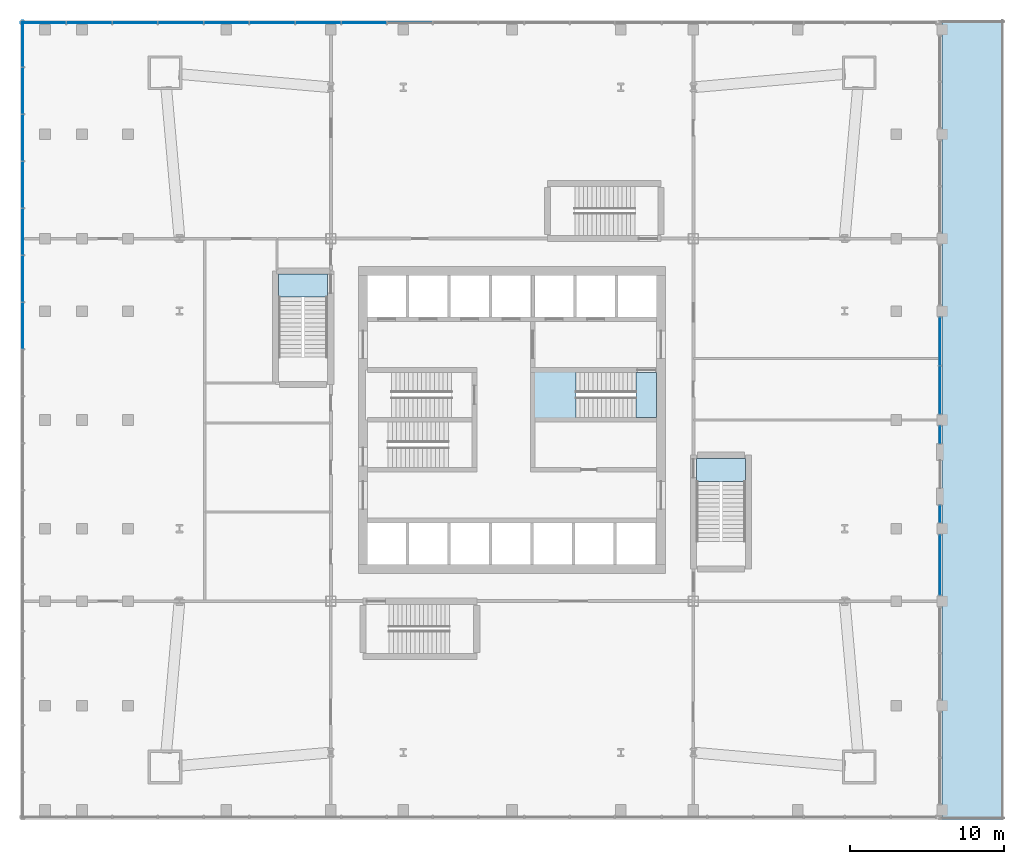
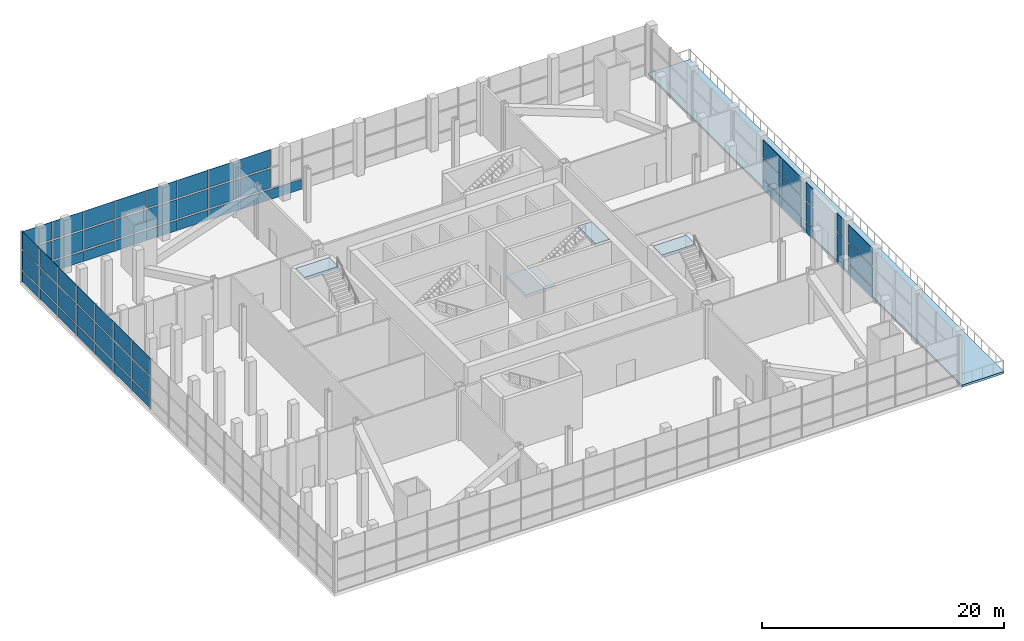
# One storey, part 11 of 17: 61 plates, 5 slabs, 9 elements without a shape of their own.
"""IFC4 building model written with IfcOpenShell, lengths in metres."""

from ifc_helpers import new_model, si_unit, direction, frame, origin, origin_2d, place, context, subcontext, project, spatial, polyline, rectangle, outline, extrude, material, layer, layer_set, type_object, element, aggregate, save


model = new_model("IFC4")

# Units and contexts
model_context = context("Model", 3, precision=1e-05, world=origin(), true_north=direction((0.0, 1.0)))
body_context = subcontext(model_context, "Body", "Model", "MODEL_VIEW")
ifc_project = project(units=[si_unit("LENGTHUNIT", "METRE"), si_unit("AREAUNIT", "SQUARE_METRE"), si_unit("VOLUMEUNIT", "CUBIC_METRE"), si_unit("PLANEANGLEUNIT", "RADIAN"), si_unit("MASSUNIT", "GRAM", prefix="KILO")], contexts=[model_context])

# Site, building, storey
site_placement = place(None, origin())
site = spatial("IfcSite", under=ifc_project, at=site_placement, CompositionType="ELEMENT")
building_placement = place(site_placement, origin())
building = spatial("IfcBuilding", under=site, at=building_placement, Name="Turquesa Mirador Hotel Tower", CompositionType="ELEMENT")
storey_placement = place(building_placement, frame((0.0, 0.0, 5.60009765625)))
storey = spatial("IfcBuildingStorey", under=building, at=storey_placement, Name="L01", CompositionType="ELEMENT", Elevation=5.60009765625)

# Curtain wall, plate
ifc_material_1 = material(Name="Aluminium extrusion", Category="aluminium")
curtain_wall_type = type_object("IfcCurtainWallType", Name="CW-2 PODIUM CURTAIN WALL", PredefinedType="USERDEFINED", material=ifc_material_1)
curtain_wall_1_placement = place(storey_placement, origin())
curtain_wall_1 = element("IfcCurtainWall", 1, at=curtain_wall_1_placement, inside=storey, type_object=curtain_wall_type, Name="CW-2 PODIUM CURTAIN WALL L01", ObjectType="CURTAIN WALL", PredefinedType="USERDEFINED")
ifc_material_2 = material(Name="Ceramic-printed spandrel glass on an insulated back pan", Category="glass")
ifc_layer_1 = layer(ifc_material_2, 0.050048828125)
ifc_layer_set_1 = layer_set([ifc_layer_1], Name="CW PANEL SPANDREL CERAMIC")
plate_type_1 = type_object("IfcPlateType", Name="CW PANEL SPANDREL CERAMIC", PredefinedType="CURTAIN_PANEL", material=ifc_layer_set_1)
plate_1_placement = place(storey_placement, frame((82.85009765625, 35.56005859375, 0.0), z_axis=(0.0, 0.0, 1.0), x_axis=(0.0, 1.0, 0.0)))
plate_1 = element("IfcPlate", 2, at=plate_1_placement, type_object=plate_type_1, Name="Panel", PredefinedType="CURTAIN_PANEL", context=body_context, shape_type="SweptSolid", body=[
    extrude(rectangle(XDim=3.885986328125, YDim=0.050048828125, at=origin_2d()), origin(), (0.0, 0.0, 1.0), 1.02490234375),
])

curtain_wall_2_placement = place(storey_placement, origin())
curtain_wall_2 = element("IfcCurtainWall", 3, at=curtain_wall_2_placement, inside=storey, type_object=curtain_wall_type, Name="CW-2 PODIUM CURTAIN WALL L01", ObjectType="CURTAIN WALL", PredefinedType="USERDEFINED")
plate_2_placement = place(storey_placement, frame((82.85009765625, 38.88232421875, 0.0), z_axis=(0.0, 0.0, 1.0), x_axis=(0.0, 1.0, 0.0)))
plate_2 = element("IfcPlate", 4, at=plate_2_placement, type_object=plate_type_1, Name="Panel", PredefinedType="CURTAIN_PANEL", context=body_context, shape_type="SweptSolid", body=[
    extrude(rectangle(XDim=1.090576171875, YDim=0.050048828125, at=origin_2d()), origin(), (0.0, 0.0, 1.0), 1.02490234375),
])

curtain_wall_3_placement = place(storey_placement, origin())
curtain_wall_3 = element("IfcCurtainWall", 5, at=curtain_wall_3_placement, inside=storey, type_object=curtain_wall_type, Name="CW-2 PODIUM CURTAIN WALL L01", ObjectType="CURTAIN WALL", PredefinedType="USERDEFINED")
plate_3_placement = place(storey_placement, frame((82.85009765625, 44.037841796875, 0.0), z_axis=(0.0, 0.0, 1.0), x_axis=(0.0, 1.0, 0.0)))
plate_3 = element("IfcPlate", 6, at=plate_3_placement, type_object=plate_type_1, Name="Panel", PredefinedType="CURTAIN_PANEL", context=body_context, shape_type="SweptSolid", body=[
    extrude(rectangle(XDim=1.090576171875, YDim=0.050048828125, at=origin_2d()), origin(), (0.0, 0.0, 1.0), 1.02490234375),
])

# Curtain wall, plates
curtain_wall_4_placement = place(storey_placement, origin())
curtain_wall_4 = element("IfcCurtainWall", 7, at=curtain_wall_4_placement, inside=storey, type_object=curtain_wall_type, Name="CW-2 PODIUM CURTAIN WALL L01", ObjectType="CURTAIN WALL", PredefinedType="USERDEFINED")
plate_4_placement = place(storey_placement, frame((82.85009765625, 46.962158203125, 0.0), z_axis=(0.0, 0.0, 1.0), x_axis=(0.0, 1.0, 0.0)))
plate_4 = element("IfcPlate", 8, at=plate_4_placement, type_object=plate_type_1, Name="Panel", PredefinedType="CURTAIN_PANEL", context=body_context, shape_type="SweptSolid", body=[
    extrude(rectangle(XDim=3.090576171875, YDim=0.050048828125, at=origin_2d()), origin(), (0.0, 0.0, 1.0), 1.02490234375),
])
plate_5_placement = place(storey_placement, frame((82.85009765625, 50.11767578125, 0.0), z_axis=(0.0, 0.0, 1.0), x_axis=(0.0, 1.0, 0.0)))
plate_5 = element("IfcPlate", 9, at=plate_5_placement, type_object=plate_type_1, Name="Panel", PredefinedType="CURTAIN_PANEL", context=body_context, shape_type="SweptSolid", body=[
    extrude(rectangle(XDim=3.090576171875, YDim=0.050048828125, at=origin_2d()), origin(), (0.0, 0.0, 1.0), 1.02490234375),
])

curtain_wall_5_placement = place(storey_placement, origin())
curtain_wall_5 = element("IfcCurtainWall", 10, at=curtain_wall_5_placement, inside=storey, type_object=curtain_wall_type, Name="CW-2 PODIUM CURTAIN WALL L01", ObjectType="CURTAIN WALL", PredefinedType="USERDEFINED")
plate_6_placement = place(storey_placement, frame((48.336669921875, 70.85009765625, 0.0), z_axis=(0.0, 0.0, 1.0), x_axis=(-1.0, 0.0, 0.0)))
plate_6 = element("IfcPlate", 11, at=plate_6_placement, type_object=plate_type_1, Name="Panel", PredefinedType="CURTAIN_PANEL", context=body_context, shape_type="SweptSolid", body=[
    extrude(rectangle(XDim=2.915771484375, YDim=0.050048828125, at=origin_2d()), origin(), (0.0, 0.0, 1.0), 1.02490234375),
])
plate_7_placement = place(storey_placement, frame((45.355712890625, 70.85009765625, 0.0), z_axis=(0.0, 0.0, 1.0), x_axis=(-1.0, 0.0, 0.0)))
plate_7 = element("IfcPlate", 12, at=plate_7_placement, type_object=plate_type_1, Name="Panel", PredefinedType="CURTAIN_PANEL", context=body_context, shape_type="SweptSolid", body=[
    extrude(rectangle(XDim=2.915771484375, YDim=0.050048828125, at=origin_2d()), origin(), (0.0, 0.0, 1.0), 1.02490234375),
])
plate_8_placement = place(storey_placement, frame((42.375, 70.85009765625, 0.0), z_axis=(0.0, 0.0, 1.0), x_axis=(-1.0, 0.0, 0.0)))
plate_8 = element("IfcPlate", 13, at=plate_8_placement, type_object=plate_type_1, Name="Panel", PredefinedType="CURTAIN_PANEL", context=body_context, shape_type="SweptSolid", body=[
    extrude(rectangle(XDim=2.915771484375, YDim=0.050048828125, at=origin_2d()), origin(), (0.0, 0.0, 1.0), 1.02490234375),
])
plate_9_placement = place(storey_placement, frame((39.394287109375, 70.85009765625, 0.0), z_axis=(0.0, 0.0, 1.0), x_axis=(-1.0, 0.0, 0.0)))
plate_9 = element("IfcPlate", 14, at=plate_9_placement, type_object=plate_type_1, Name="Panel", PredefinedType="CURTAIN_PANEL", context=body_context, shape_type="SweptSolid", body=[
    extrude(rectangle(XDim=2.915771484375, YDim=0.050048828125, at=origin_2d()), origin(), (0.0, 0.0, 1.0), 1.02490234375),
])
plate_10_placement = place(storey_placement, frame((36.41357421875, 70.85009765625, 0.0), z_axis=(0.0, 0.0, 1.0), x_axis=(-1.0, 0.0, 0.0)))
plate_10 = element("IfcPlate", 15, at=plate_10_placement, type_object=plate_type_1, Name="Panel", PredefinedType="CURTAIN_PANEL", context=body_context, shape_type="SweptSolid", body=[
    extrude(rectangle(XDim=2.915771484375, YDim=0.050048828125, at=origin_2d()), origin(), (0.0, 0.0, 1.0), 1.02490234375),
])
plate_11_placement = place(storey_placement, frame((33.4326171875, 70.85009765625, 0.0), z_axis=(0.0, 0.0, 1.0), x_axis=(-1.0, 0.0, 0.0)))
plate_11 = element("IfcPlate", 16, at=plate_11_placement, type_object=plate_type_1, Name="Panel", PredefinedType="CURTAIN_PANEL", context=body_context, shape_type="SweptSolid", body=[
    extrude(rectangle(XDim=2.915771484375, YDim=0.050048828125, at=origin_2d()), origin(), (0.0, 0.0, 1.0), 1.02490234375),
])
plate_12_placement = place(storey_placement, frame((30.451904296875, 70.85009765625, 0.0), z_axis=(0.0, 0.0, 1.0), x_axis=(-1.0, 0.0, 0.0)))
plate_12 = element("IfcPlate", 17, at=plate_12_placement, type_object=plate_type_1, Name="Panel", PredefinedType="CURTAIN_PANEL", context=body_context, shape_type="SweptSolid", body=[
    extrude(rectangle(XDim=2.915771484375, YDim=0.050048828125, at=origin_2d()), origin(), (0.0, 0.0, 1.0), 1.02490234375),
])
plate_13_placement = place(storey_placement, frame((27.47119140625, 70.85009765625, 0.0), z_axis=(0.0, 0.0, 1.0), x_axis=(-1.0, 0.0, 0.0)))
plate_13 = element("IfcPlate", 18, at=plate_13_placement, type_object=plate_type_1, Name="Panel", PredefinedType="CURTAIN_PANEL", context=body_context, shape_type="SweptSolid", body=[
    extrude(rectangle(XDim=2.915771484375, YDim=0.050048828125, at=origin_2d()), origin(), (0.0, 0.0, 1.0), 1.02490234375),
])
plate_14_placement = place(storey_placement, frame((24.490478515625, 70.85009765625, 0.0), z_axis=(0.0, 0.0, 1.0), x_axis=(-1.0, 0.0, 0.0)))
plate_14 = element("IfcPlate", 19, at=plate_14_placement, type_object=plate_type_1, Name="Panel", PredefinedType="CURTAIN_PANEL", context=body_context, shape_type="SweptSolid", body=[
    extrude(rectangle(XDim=2.915771484375, YDim=0.050048828125, at=origin_2d()), origin(), (0.0, 0.0, 1.0), 1.02490234375),
])

curtain_wall_6_placement = place(storey_placement, origin())
curtain_wall_6 = element("IfcCurtainWall", 20, at=curtain_wall_6_placement, inside=storey, type_object=curtain_wall_type, Name="CW-2 PODIUM CURTAIN WALL L01", ObjectType="CURTAIN WALL", PredefinedType="USERDEFINED")
plate_15_placement = place(storey_placement, frame((23.14990234375, 69.470703125, 0.0), z_axis=(0.0, 0.0, 1.0), x_axis=(0.0, -1.0, 0.0)))
plate_15 = element("IfcPlate", 21, at=plate_15_placement, type_object=plate_type_1, Name="Panel", PredefinedType="CURTAIN_PANEL", context=body_context, shape_type="SweptSolid", body=[
    extrude(rectangle(XDim=2.993896484375, YDim=0.050048828125, at=origin_2d()), origin(), (0.0, 0.0, 1.0), 1.02490234375),
])
plate_16_placement = place(storey_placement, frame((23.14990234375, 66.411865234375, 0.0), z_axis=(0.0, 0.0, 1.0), x_axis=(0.0, -1.0, 0.0)))
plate_16 = element("IfcPlate", 22, at=plate_16_placement, type_object=plate_type_1, Name="Panel", PredefinedType="CURTAIN_PANEL", context=body_context, shape_type="SweptSolid", body=[
    extrude(rectangle(XDim=2.993896484375, YDim=0.050048828125, at=origin_2d()), origin(), (0.0, 0.0, 1.0), 1.02490234375),
])
plate_17_placement = place(storey_placement, frame((23.14990234375, 63.35302734375, 0.0), z_axis=(0.0, 0.0, 1.0), x_axis=(0.0, -1.0, 0.0)))
plate_17 = element("IfcPlate", 23, at=plate_17_placement, type_object=plate_type_1, Name="Panel", PredefinedType="CURTAIN_PANEL", context=body_context, shape_type="SweptSolid", body=[
    extrude(rectangle(XDim=2.993896484375, YDim=0.050048828125, at=origin_2d()), origin(), (0.0, 0.0, 1.0), 1.02490234375),
])
plate_18_placement = place(storey_placement, frame((23.14990234375, 60.294189453125, 0.0), z_axis=(0.0, 0.0, 1.0), x_axis=(0.0, -1.0, 0.0)))
plate_18 = element("IfcPlate", 24, at=plate_18_placement, type_object=plate_type_1, Name="Panel", PredefinedType="CURTAIN_PANEL", context=body_context, shape_type="SweptSolid", body=[
    extrude(rectangle(XDim=2.993896484375, YDim=0.050048828125, at=origin_2d()), origin(), (0.0, 0.0, 1.0), 1.02490234375),
])
plate_19_placement = place(storey_placement, frame((23.14990234375, 57.2353515625, 0.0), z_axis=(0.0, 0.0, 1.0), x_axis=(0.0, -1.0, 0.0)))
plate_19 = element("IfcPlate", 25, at=plate_19_placement, type_object=plate_type_1, Name="Panel", PredefinedType="CURTAIN_PANEL", context=body_context, shape_type="SweptSolid", body=[
    extrude(rectangle(XDim=2.993896484375, YDim=0.050048828125, at=origin_2d()), origin(), (0.0, 0.0, 1.0), 1.02490234375),
])
plate_20_placement = place(storey_placement, frame((23.14990234375, 54.176513671875, 0.0), z_axis=(0.0, 0.0, 1.0), x_axis=(0.0, -1.0, 0.0)))
plate_20 = element("IfcPlate", 26, at=plate_20_placement, type_object=plate_type_1, Name="Panel", PredefinedType="CURTAIN_PANEL", context=body_context, shape_type="SweptSolid", body=[
    extrude(rectangle(XDim=2.993896484375, YDim=0.050048828125, at=origin_2d()), origin(), (0.0, 0.0, 1.0), 1.02490234375),
])
plate_21_placement = place(storey_placement, frame((23.14990234375, 51.11767578125, 0.0), z_axis=(0.0, 0.0, 1.0), x_axis=(0.0, -1.0, 0.0)))
plate_21 = element("IfcPlate", 27, at=plate_21_placement, type_object=plate_type_1, Name="Panel", PredefinedType="CURTAIN_PANEL", context=body_context, shape_type="SweptSolid", body=[
    extrude(rectangle(XDim=2.993896484375, YDim=0.050048828125, at=origin_2d()), origin(), (0.0, 0.0, 1.0), 1.02490234375),
])

# Plate
ifc_material_3 = material(Name="Ceramic-fritted laminated glass", Category="glass")
ifc_layer_2 = layer(ifc_material_3, 0.031982421875)
ifc_layer_set_2 = layer_set([ifc_layer_2], Name="CW PANEL VISION FRITTED")
plate_type_2 = type_object("IfcPlateType", Name="CW PANEL VISION FRITTED", PredefinedType="CURTAIN_PANEL", material=ifc_layer_set_2)
plate_22_placement = place(storey_placement, frame((82.85009765625, 35.56005859375, 1.1748046875), z_axis=(0.0, 0.0, 1.0), x_axis=(0.0, 1.0, 0.0)))
plate_22 = element("IfcPlate", 28, at=plate_22_placement, type_object=plate_type_2, Name="Panel", PredefinedType="CURTAIN_PANEL", context=body_context, shape_type="SweptSolid", body=[
    extrude(rectangle(XDim=3.885986328125, YDim=0.031982421875, at=origin_2d()), origin(), (0.0, 0.0, 1.0), 1.949951171875),
])

plate_23_placement = place(storey_placement, frame((82.85009765625, 35.56005859375, 3.27490234375), z_axis=(0.0, 0.0, 1.0), x_axis=(0.0, 1.0, 0.0)))
plate_23 = element("IfcPlate", 29, at=plate_23_placement, type_object=plate_type_2, Name="Panel", PredefinedType="CURTAIN_PANEL", context=body_context, shape_type="SweptSolid", body=[
    extrude(rectangle(XDim=3.885986328125, YDim=0.031982421875, at=origin_2d()), origin(), (0.0, 0.0, 1.0), 1.77490234375),
])

aggregate(curtain_wall_1, [plate_1, plate_22, plate_23])

plate_24_placement = place(storey_placement, frame((82.85009765625, 38.88232421875, 1.1748046875), z_axis=(0.0, 0.0, 1.0), x_axis=(0.0, 1.0, 0.0)))
plate_24 = element("IfcPlate", 30, at=plate_24_placement, type_object=plate_type_2, Name="Panel", PredefinedType="CURTAIN_PANEL", context=body_context, shape_type="SweptSolid", body=[
    extrude(rectangle(XDim=1.090576171875, YDim=0.031982421875, at=origin_2d()), origin(), (0.0, 0.0, 1.0), 1.949951171875),
])

plate_25_placement = place(storey_placement, frame((82.85009765625, 38.88232421875, 3.27490234375), z_axis=(0.0, 0.0, 1.0), x_axis=(0.0, 1.0, 0.0)))
plate_25 = element("IfcPlate", 31, at=plate_25_placement, type_object=plate_type_2, Name="Panel", PredefinedType="CURTAIN_PANEL", context=body_context, shape_type="SweptSolid", body=[
    extrude(rectangle(XDim=1.090576171875, YDim=0.031982421875, at=origin_2d()), origin(), (0.0, 0.0, 1.0), 1.77490234375),
])

aggregate(curtain_wall_2, [plate_2, plate_24, plate_25])

plate_26_placement = place(storey_placement, frame((82.85009765625, 44.037841796875, 1.1748046875), z_axis=(0.0, 0.0, 1.0), x_axis=(0.0, 1.0, 0.0)))
plate_26 = element("IfcPlate", 32, at=plate_26_placement, type_object=plate_type_2, Name="Panel", PredefinedType="CURTAIN_PANEL", context=body_context, shape_type="SweptSolid", body=[
    extrude(rectangle(XDim=1.090576171875, YDim=0.031982421875, at=origin_2d()), origin(), (0.0, 0.0, 1.0), 1.949951171875),
])

plate_27_placement = place(storey_placement, frame((82.85009765625, 44.037841796875, 3.27490234375), z_axis=(0.0, 0.0, 1.0), x_axis=(0.0, 1.0, 0.0)))
plate_27 = element("IfcPlate", 33, at=plate_27_placement, type_object=plate_type_2, Name="Panel", PredefinedType="CURTAIN_PANEL", context=body_context, shape_type="SweptSolid", body=[
    extrude(rectangle(XDim=1.090576171875, YDim=0.031982421875, at=origin_2d()), origin(), (0.0, 0.0, 1.0), 1.77490234375),
])

aggregate(curtain_wall_3, [plate_3, plate_26, plate_27])

plate_28_placement = place(storey_placement, frame((82.85009765625, 46.962158203125, 1.1748046875), z_axis=(0.0, 0.0, 1.0), x_axis=(0.0, 1.0, 0.0)))
plate_28 = element("IfcPlate", 34, at=plate_28_placement, type_object=plate_type_2, Name="Panel", PredefinedType="CURTAIN_PANEL", context=body_context, shape_type="SweptSolid", body=[
    extrude(rectangle(XDim=3.090576171875, YDim=0.031982421875, at=origin_2d()), origin(), (0.0, 0.0, 1.0), 1.949951171875),
])

plate_29_placement = place(storey_placement, frame((82.85009765625, 46.962158203125, 3.27490234375), z_axis=(0.0, 0.0, 1.0), x_axis=(0.0, 1.0, 0.0)))
plate_29 = element("IfcPlate", 35, at=plate_29_placement, type_object=plate_type_2, Name="Panel", PredefinedType="CURTAIN_PANEL", context=body_context, shape_type="SweptSolid", body=[
    extrude(rectangle(XDim=3.090576171875, YDim=0.031982421875, at=origin_2d()), origin(), (0.0, 0.0, 1.0), 1.77490234375),
])

plate_30_placement = place(storey_placement, frame((82.85009765625, 50.11767578125, 1.1748046875), z_axis=(0.0, 0.0, 1.0), x_axis=(0.0, 1.0, 0.0)))
plate_30 = element("IfcPlate", 36, at=plate_30_placement, type_object=plate_type_2, Name="Panel", PredefinedType="CURTAIN_PANEL", context=body_context, shape_type="SweptSolid", body=[
    extrude(rectangle(XDim=3.090576171875, YDim=0.031982421875, at=origin_2d()), origin(), (0.0, 0.0, 1.0), 1.949951171875),
])

plate_31_placement = place(storey_placement, frame((82.85009765625, 50.11767578125, 3.27490234375), z_axis=(0.0, 0.0, 1.0), x_axis=(0.0, 1.0, 0.0)))
plate_31 = element("IfcPlate", 37, at=plate_31_placement, type_object=plate_type_2, Name="Panel", PredefinedType="CURTAIN_PANEL", context=body_context, shape_type="SweptSolid", body=[
    extrude(rectangle(XDim=3.090576171875, YDim=0.031982421875, at=origin_2d()), origin(), (0.0, 0.0, 1.0), 1.77490234375),
])

aggregate(curtain_wall_4, [plate_4, plate_28, plate_29, plate_5, plate_30, plate_31])

plate_32_placement = place(storey_placement, frame((45.355712890625, 70.85009765625, 1.1748046875), z_axis=(0.0, 0.0, 1.0), x_axis=(-1.0, 0.0, 0.0)))
plate_32 = element("IfcPlate", 38, at=plate_32_placement, type_object=plate_type_2, Name="Panel", PredefinedType="CURTAIN_PANEL", context=body_context, shape_type="SweptSolid", body=[
    extrude(rectangle(XDim=2.915771484375, YDim=0.031982421875, at=origin_2d()), origin(), (0.0, 0.0, 1.0), 1.949951171875),
])

plate_33_placement = place(storey_placement, frame((45.355712890625, 70.85009765625, 3.27490234375), z_axis=(0.0, 0.0, 1.0), x_axis=(-1.0, 0.0, 0.0)))
plate_33 = element("IfcPlate", 39, at=plate_33_placement, type_object=plate_type_2, Name="Panel", PredefinedType="CURTAIN_PANEL", context=body_context, shape_type="SweptSolid", body=[
    extrude(rectangle(XDim=2.915771484375, YDim=0.031982421875, at=origin_2d()), origin(), (0.0, 0.0, 1.0), 1.77490234375),
])

plate_34_placement = place(storey_placement, frame((42.375, 70.85009765625, 1.1748046875), z_axis=(0.0, 0.0, 1.0), x_axis=(-1.0, 0.0, 0.0)))
plate_34 = element("IfcPlate", 40, at=plate_34_placement, type_object=plate_type_2, Name="Panel", PredefinedType="CURTAIN_PANEL", context=body_context, shape_type="SweptSolid", body=[
    extrude(rectangle(XDim=2.915771484375, YDim=0.031982421875, at=origin_2d()), origin(), (0.0, 0.0, 1.0), 1.949951171875),
])

plate_35_placement = place(storey_placement, frame((42.375, 70.85009765625, 3.27490234375), z_axis=(0.0, 0.0, 1.0), x_axis=(-1.0, 0.0, 0.0)))
plate_35 = element("IfcPlate", 41, at=plate_35_placement, type_object=plate_type_2, Name="Panel", PredefinedType="CURTAIN_PANEL", context=body_context, shape_type="SweptSolid", body=[
    extrude(rectangle(XDim=2.915771484375, YDim=0.031982421875, at=origin_2d()), origin(), (0.0, 0.0, 1.0), 1.77490234375),
])

plate_36_placement = place(storey_placement, frame((39.394287109375, 70.85009765625, 1.1748046875), z_axis=(0.0, 0.0, 1.0), x_axis=(-1.0, 0.0, 0.0)))
plate_36 = element("IfcPlate", 42, at=plate_36_placement, type_object=plate_type_2, Name="Panel", PredefinedType="CURTAIN_PANEL", context=body_context, shape_type="SweptSolid", body=[
    extrude(rectangle(XDim=2.915771484375, YDim=0.031982421875, at=origin_2d()), origin(), (0.0, 0.0, 1.0), 1.949951171875),
])

plate_37_placement = place(storey_placement, frame((39.394287109375, 70.85009765625, 3.27490234375), z_axis=(0.0, 0.0, 1.0), x_axis=(-1.0, 0.0, 0.0)))
plate_37 = element("IfcPlate", 43, at=plate_37_placement, type_object=plate_type_2, Name="Panel", PredefinedType="CURTAIN_PANEL", context=body_context, shape_type="SweptSolid", body=[
    extrude(rectangle(XDim=2.915771484375, YDim=0.031982421875, at=origin_2d()), origin(), (0.0, 0.0, 1.0), 1.77490234375),
])

plate_38_placement = place(storey_placement, frame((36.41357421875, 70.85009765625, 1.1748046875), z_axis=(0.0, 0.0, 1.0), x_axis=(-1.0, 0.0, 0.0)))
plate_38 = element("IfcPlate", 44, at=plate_38_placement, type_object=plate_type_2, Name="Panel", PredefinedType="CURTAIN_PANEL", context=body_context, shape_type="SweptSolid", body=[
    extrude(rectangle(XDim=2.915771484375, YDim=0.031982421875, at=origin_2d()), origin(), (0.0, 0.0, 1.0), 1.949951171875),
])

plate_39_placement = place(storey_placement, frame((36.41357421875, 70.85009765625, 3.27490234375), z_axis=(0.0, 0.0, 1.0), x_axis=(-1.0, 0.0, 0.0)))
plate_39 = element("IfcPlate", 45, at=plate_39_placement, type_object=plate_type_2, Name="Panel", PredefinedType="CURTAIN_PANEL", context=body_context, shape_type="SweptSolid", body=[
    extrude(rectangle(XDim=2.915771484375, YDim=0.031982421875, at=origin_2d()), origin(), (0.0, 0.0, 1.0), 1.77490234375),
])

plate_40_placement = place(storey_placement, frame((33.4326171875, 70.85009765625, 1.1748046875), z_axis=(0.0, 0.0, 1.0), x_axis=(-1.0, 0.0, 0.0)))
plate_40 = element("IfcPlate", 46, at=plate_40_placement, type_object=plate_type_2, Name="Panel", PredefinedType="CURTAIN_PANEL", context=body_context, shape_type="SweptSolid", body=[
    extrude(rectangle(XDim=2.915771484375, YDim=0.031982421875, at=origin_2d()), origin(), (0.0, 0.0, 1.0), 1.949951171875),
])

plate_41_placement = place(storey_placement, frame((33.4326171875, 70.85009765625, 3.27490234375), z_axis=(0.0, 0.0, 1.0), x_axis=(-1.0, 0.0, 0.0)))
plate_41 = element("IfcPlate", 47, at=plate_41_placement, type_object=plate_type_2, Name="Panel", PredefinedType="CURTAIN_PANEL", context=body_context, shape_type="SweptSolid", body=[
    extrude(rectangle(XDim=2.915771484375, YDim=0.031982421875, at=origin_2d()), origin(), (0.0, 0.0, 1.0), 1.77490234375),
])

plate_42_placement = place(storey_placement, frame((30.451904296875, 70.85009765625, 1.1748046875), z_axis=(0.0, 0.0, 1.0), x_axis=(-1.0, 0.0, 0.0)))
plate_42 = element("IfcPlate", 48, at=plate_42_placement, type_object=plate_type_2, Name="Panel", PredefinedType="CURTAIN_PANEL", context=body_context, shape_type="SweptSolid", body=[
    extrude(rectangle(XDim=2.915771484375, YDim=0.031982421875, at=origin_2d()), origin(), (0.0, 0.0, 1.0), 1.949951171875),
])

plate_43_placement = place(storey_placement, frame((30.451904296875, 70.85009765625, 3.27490234375), z_axis=(0.0, 0.0, 1.0), x_axis=(-1.0, 0.0, 0.0)))
plate_43 = element("IfcPlate", 49, at=plate_43_placement, type_object=plate_type_2, Name="Panel", PredefinedType="CURTAIN_PANEL", context=body_context, shape_type="SweptSolid", body=[
    extrude(rectangle(XDim=2.915771484375, YDim=0.031982421875, at=origin_2d()), origin(), (0.0, 0.0, 1.0), 1.77490234375),
])

plate_44_placement = place(storey_placement, frame((27.47119140625, 70.85009765625, 1.1748046875), z_axis=(0.0, 0.0, 1.0), x_axis=(-1.0, 0.0, 0.0)))
plate_44 = element("IfcPlate", 50, at=plate_44_placement, type_object=plate_type_2, Name="Panel", PredefinedType="CURTAIN_PANEL", context=body_context, shape_type="SweptSolid", body=[
    extrude(rectangle(XDim=2.915771484375, YDim=0.031982421875, at=origin_2d()), origin(), (0.0, 0.0, 1.0), 1.949951171875),
])

plate_45_placement = place(storey_placement, frame((27.47119140625, 70.85009765625, 3.27490234375), z_axis=(0.0, 0.0, 1.0), x_axis=(-1.0, 0.0, 0.0)))
plate_45 = element("IfcPlate", 51, at=plate_45_placement, type_object=plate_type_2, Name="Panel", PredefinedType="CURTAIN_PANEL", context=body_context, shape_type="SweptSolid", body=[
    extrude(rectangle(XDim=2.915771484375, YDim=0.031982421875, at=origin_2d()), origin(), (0.0, 0.0, 1.0), 1.77490234375),
])

plate_46_placement = place(storey_placement, frame((24.490478515625, 70.85009765625, 1.1748046875), z_axis=(0.0, 0.0, 1.0), x_axis=(-1.0, 0.0, 0.0)))
plate_46 = element("IfcPlate", 52, at=plate_46_placement, type_object=plate_type_2, Name="Panel", PredefinedType="CURTAIN_PANEL", context=body_context, shape_type="SweptSolid", body=[
    extrude(rectangle(XDim=2.915771484375, YDim=0.031982421875, at=origin_2d()), origin(), (0.0, 0.0, 1.0), 1.949951171875),
])

plate_47_placement = place(storey_placement, frame((24.490478515625, 70.85009765625, 3.27490234375), z_axis=(0.0, 0.0, 1.0), x_axis=(-1.0, 0.0, 0.0)))
plate_47 = element("IfcPlate", 53, at=plate_47_placement, type_object=plate_type_2, Name="Panel", PredefinedType="CURTAIN_PANEL", context=body_context, shape_type="SweptSolid", body=[
    extrude(rectangle(XDim=2.915771484375, YDim=0.031982421875, at=origin_2d()), origin(), (0.0, 0.0, 1.0), 1.77490234375),
])

aggregate(curtain_wall_5, [plate_6, plate_7, plate_32, plate_33, plate_8, plate_34, plate_35, plate_9, plate_36, plate_37, plate_10, plate_38, plate_39, plate_11, plate_40, plate_41, plate_12, plate_42, plate_43, plate_13, plate_44, plate_45, plate_14, plate_46, plate_47])

plate_48_placement = place(storey_placement, frame((23.14990234375, 69.470703125, 1.1748046875), z_axis=(0.0, 0.0, 1.0), x_axis=(0.0, -1.0, 0.0)))
plate_48 = element("IfcPlate", 54, at=plate_48_placement, type_object=plate_type_2, Name="Panel", PredefinedType="CURTAIN_PANEL", context=body_context, shape_type="SweptSolid", body=[
    extrude(rectangle(XDim=2.993896484375, YDim=0.031982421875, at=origin_2d()), origin(), (0.0, 0.0, 1.0), 1.949951171875),
])

plate_49_placement = place(storey_placement, frame((23.14990234375, 69.470703125, 3.27490234375), z_axis=(0.0, 0.0, 1.0), x_axis=(0.0, -1.0, 0.0)))
plate_49 = element("IfcPlate", 55, at=plate_49_placement, type_object=plate_type_2, Name="Panel", PredefinedType="CURTAIN_PANEL", context=body_context, shape_type="SweptSolid", body=[
    extrude(rectangle(XDim=2.993896484375, YDim=0.031982421875, at=origin_2d()), origin(), (0.0, 0.0, 1.0), 1.77490234375),
])

plate_50_placement = place(storey_placement, frame((23.14990234375, 66.411865234375, 1.1748046875), z_axis=(0.0, 0.0, 1.0), x_axis=(0.0, -1.0, 0.0)))
plate_50 = element("IfcPlate", 56, at=plate_50_placement, type_object=plate_type_2, Name="Panel", PredefinedType="CURTAIN_PANEL", context=body_context, shape_type="SweptSolid", body=[
    extrude(rectangle(XDim=2.993896484375, YDim=0.031982421875, at=origin_2d()), origin(), (0.0, 0.0, 1.0), 1.949951171875),
])

plate_51_placement = place(storey_placement, frame((23.14990234375, 66.411865234375, 3.27490234375), z_axis=(0.0, 0.0, 1.0), x_axis=(0.0, -1.0, 0.0)))
plate_51 = element("IfcPlate", 57, at=plate_51_placement, type_object=plate_type_2, Name="Panel", PredefinedType="CURTAIN_PANEL", context=body_context, shape_type="SweptSolid", body=[
    extrude(rectangle(XDim=2.993896484375, YDim=0.031982421875, at=origin_2d()), origin(), (0.0, 0.0, 1.0), 1.77490234375),
])

plate_52_placement = place(storey_placement, frame((23.14990234375, 63.35302734375, 1.1748046875), z_axis=(0.0, 0.0, 1.0), x_axis=(0.0, -1.0, 0.0)))
plate_52 = element("IfcPlate", 58, at=plate_52_placement, type_object=plate_type_2, Name="Panel", PredefinedType="CURTAIN_PANEL", context=body_context, shape_type="SweptSolid", body=[
    extrude(rectangle(XDim=2.993896484375, YDim=0.031982421875, at=origin_2d()), origin(), (0.0, 0.0, 1.0), 1.949951171875),
])

plate_53_placement = place(storey_placement, frame((23.14990234375, 63.35302734375, 3.27490234375), z_axis=(0.0, 0.0, 1.0), x_axis=(0.0, -1.0, 0.0)))
plate_53 = element("IfcPlate", 59, at=plate_53_placement, type_object=plate_type_2, Name="Panel", PredefinedType="CURTAIN_PANEL", context=body_context, shape_type="SweptSolid", body=[
    extrude(rectangle(XDim=2.993896484375, YDim=0.031982421875, at=origin_2d()), origin(), (0.0, 0.0, 1.0), 1.77490234375),
])

plate_54_placement = place(storey_placement, frame((23.14990234375, 60.294189453125, 1.1748046875), z_axis=(0.0, 0.0, 1.0), x_axis=(0.0, -1.0, 0.0)))
plate_54 = element("IfcPlate", 60, at=plate_54_placement, type_object=plate_type_2, Name="Panel", PredefinedType="CURTAIN_PANEL", context=body_context, shape_type="SweptSolid", body=[
    extrude(rectangle(XDim=2.993896484375, YDim=0.031982421875, at=origin_2d()), origin(), (0.0, 0.0, 1.0), 1.949951171875),
])

plate_55_placement = place(storey_placement, frame((23.14990234375, 60.294189453125, 3.27490234375), z_axis=(0.0, 0.0, 1.0), x_axis=(0.0, -1.0, 0.0)))
plate_55 = element("IfcPlate", 61, at=plate_55_placement, type_object=plate_type_2, Name="Panel", PredefinedType="CURTAIN_PANEL", context=body_context, shape_type="SweptSolid", body=[
    extrude(rectangle(XDim=2.993896484375, YDim=0.031982421875, at=origin_2d()), origin(), (0.0, 0.0, 1.0), 1.77490234375),
])

plate_56_placement = place(storey_placement, frame((23.14990234375, 57.2353515625, 1.1748046875), z_axis=(0.0, 0.0, 1.0), x_axis=(0.0, -1.0, 0.0)))
plate_56 = element("IfcPlate", 62, at=plate_56_placement, type_object=plate_type_2, Name="Panel", PredefinedType="CURTAIN_PANEL", context=body_context, shape_type="SweptSolid", body=[
    extrude(rectangle(XDim=2.993896484375, YDim=0.031982421875, at=origin_2d()), origin(), (0.0, 0.0, 1.0), 1.949951171875),
])

plate_57_placement = place(storey_placement, frame((23.14990234375, 57.2353515625, 3.27490234375), z_axis=(0.0, 0.0, 1.0), x_axis=(0.0, -1.0, 0.0)))
plate_57 = element("IfcPlate", 63, at=plate_57_placement, type_object=plate_type_2, Name="Panel", PredefinedType="CURTAIN_PANEL", context=body_context, shape_type="SweptSolid", body=[
    extrude(rectangle(XDim=2.993896484375, YDim=0.031982421875, at=origin_2d()), origin(), (0.0, 0.0, 1.0), 1.77490234375),
])

plate_58_placement = place(storey_placement, frame((23.14990234375, 54.176513671875, 1.1748046875), z_axis=(0.0, 0.0, 1.0), x_axis=(0.0, -1.0, 0.0)))
plate_58 = element("IfcPlate", 64, at=plate_58_placement, type_object=plate_type_2, Name="Panel", PredefinedType="CURTAIN_PANEL", context=body_context, shape_type="SweptSolid", body=[
    extrude(rectangle(XDim=2.993896484375, YDim=0.031982421875, at=origin_2d()), origin(), (0.0, 0.0, 1.0), 1.949951171875),
])

plate_59_placement = place(storey_placement, frame((23.14990234375, 54.176513671875, 3.27490234375), z_axis=(0.0, 0.0, 1.0), x_axis=(0.0, -1.0, 0.0)))
plate_59 = element("IfcPlate", 65, at=plate_59_placement, type_object=plate_type_2, Name="Panel", PredefinedType="CURTAIN_PANEL", context=body_context, shape_type="SweptSolid", body=[
    extrude(rectangle(XDim=2.993896484375, YDim=0.031982421875, at=origin_2d()), origin(), (0.0, 0.0, 1.0), 1.77490234375),
])

plate_60_placement = place(storey_placement, frame((23.14990234375, 51.11767578125, 1.1748046875), z_axis=(0.0, 0.0, 1.0), x_axis=(0.0, -1.0, 0.0)))
plate_60 = element("IfcPlate", 66, at=plate_60_placement, type_object=plate_type_2, Name="Panel", PredefinedType="CURTAIN_PANEL", context=body_context, shape_type="SweptSolid", body=[
    extrude(rectangle(XDim=2.993896484375, YDim=0.031982421875, at=origin_2d()), origin(), (0.0, 0.0, 1.0), 1.949951171875),
])

plate_61_placement = place(storey_placement, frame((23.14990234375, 51.11767578125, 3.27490234375), z_axis=(0.0, 0.0, 1.0), x_axis=(0.0, -1.0, 0.0)))
plate_61 = element("IfcPlate", 67, at=plate_61_placement, type_object=plate_type_2, Name="Panel", PredefinedType="CURTAIN_PANEL", context=body_context, shape_type="SweptSolid", body=[
    extrude(rectangle(XDim=2.993896484375, YDim=0.031982421875, at=origin_2d()), origin(), (0.0, 0.0, 1.0), 1.77490234375),
])

aggregate(curtain_wall_6, [plate_15, plate_48, plate_49, plate_16, plate_50, plate_51, plate_17, plate_52, plate_53, plate_18, plate_54, plate_55, plate_19, plate_56, plate_57, plate_20, plate_58, plate_59, plate_21, plate_60, plate_61])

# Stair, slabs
ifc_material_4 = material(Name="Concrete C35/45", Category="concrete")
stair_type_1 = type_object("IfcStairType", Name="ESCAPE STAIR CORE", PredefinedType="HALF_TURN_STAIR", material=ifc_material_4)
stair_1_placement = place(storey_placement, origin())
stair_1 = element("IfcStair", 68, at=stair_1_placement, inside=storey, type_object=stair_type_1, Name="Stair ST3 L01 to L02", PredefinedType="HALF_TURN_STAIR")
ifc_material_5 = material(Name="Concrete C35/45", Category="concrete")
ifc_layer_3 = layer(ifc_material_5, 0.300048828125)
ifc_layer_set_3 = layer_set([ifc_layer_3], Name="STAIR LANDING 300")
slab_type_1 = type_object("IfcSlabType", Name="STAIR LANDING 300", PredefinedType="LANDING", material=ifc_layer_set_3)
slab_1_placement = place(storey_placement, frame((0.0, 0.0, 2.39990234375)))
slab_1 = element("IfcSlab", 69, at=slab_1_placement, type_object=slab_type_1, Name="ST3 landing 1", PredefinedType="LANDING", context=body_context, shape_type="SweptSolid", body=[
    extrude(outline(polyline([(56.35009765625, 45.0), (59.14990234375, 45.0), (59.14990234375, 48.25), (56.35009765625, 48.25), (56.35009765625, 45.0)])), origin(), (0.0, 0.0, 1.0), 0.300048828125),
])
slab_2_placement = place(storey_placement, frame((0.0, 0.0, 5.099853515625)))
slab_2 = element("IfcSlab", 70, at=slab_2_placement, type_object=slab_type_1, Name="ST3 landing 2", PredefinedType="LANDING", context=body_context, shape_type="SweptSolid", body=[
    extrude(outline(polyline([(63.070068359375, 45.14990234375), (64.39990234375, 45.14990234375), (64.39990234375, 48.10009765625), (63.070068359375, 48.10009765625), (63.070068359375, 45.14990234375)])), origin(), (0.0, 0.0, 1.0), 0.300048828125),
])
aggregate(stair_1, [slab_1, slab_2])

# Stair, slab
ifc_material_6 = material(Name="Concrete C35/45", Category="concrete")
stair_type_2 = type_object("IfcStairType", Name="ESCAPE STAIR PODIUM", PredefinedType="HALF_TURN_STAIR", material=ifc_material_6)
stair_2_placement = place(storey_placement, origin())
stair_2 = element("IfcStair", 71, at=stair_2_placement, inside=storey, type_object=stair_type_2, Name="Stair PS3 L01 to L02", PredefinedType="HALF_TURN_STAIR")
slab_3_placement = place(storey_placement, frame((0.0, 0.0, 5.099853515625)))
slab_3 = element("IfcSlab", 72, at=slab_3_placement, type_object=slab_type_1, Name="PS3 landing 2", PredefinedType="LANDING", context=body_context, shape_type="SweptSolid", body=[
    extrude(outline(polyline([(67.0, 41.0), (70.199951171875, 41.0), (70.199951171875, 42.5), (67.0, 42.5), (67.0, 41.0)])), origin(), (0.0, 0.0, 1.0), 0.300048828125),
])
aggregate(stair_2, [slab_3])

stair_3_placement = place(storey_placement, origin())
stair_3 = element("IfcStair", 73, at=stair_3_placement, inside=storey, type_object=stair_type_2, Name="Stair PS4 L01 to L02", PredefinedType="HALF_TURN_STAIR")
slab_4_placement = place(storey_placement, frame((0.0, 0.0, 5.099853515625)))
slab_4 = element("IfcSlab", 74, at=slab_4_placement, type_object=slab_type_1, Name="PS4 landing 2", PredefinedType="LANDING", context=body_context, shape_type="SweptSolid", body=[
    extrude(outline(polyline([(39.800048828125, 53.0), (43.0, 53.0), (43.0, 54.5), (39.800048828125, 54.5), (39.800048828125, 53.0)])), origin(), (0.0, 0.0, 1.0), 0.300048828125),
])
aggregate(stair_3, [slab_4])

# Slab
ifc_material_7 = material(Name="Concrete C35/45 with stone paving", Category="masonry")
ifc_layer_4 = layer(ifc_material_7, 0.219970703125)
ifc_layer_set_4 = layer_set([ifc_layer_4], Name="TERRACE SLAB 220")
slab_type_2 = type_object("IfcSlabType", Name="TERRACE SLAB 220", PredefinedType="ROOF", material=ifc_layer_set_4)
slab_5_placement = place(storey_placement, frame((0.0, 0.0, -0.22021484375)))
element("IfcSlab", 75, at=slab_5_placement, inside=storey, type_object=slab_type_2, Name="East terrace", PredefinedType="ROOF", context=body_context, shape_type="SweptSolid", body=[
    extrude(outline(polyline([(87.0, 71.0), (87.0, 19.0), (83.0, 19.0), (83.0, 71.0), (87.0, 71.0)])), origin(), (0.0, 0.0, 1.0), 0.22021484375),
])

save(model, "model.ifc")
